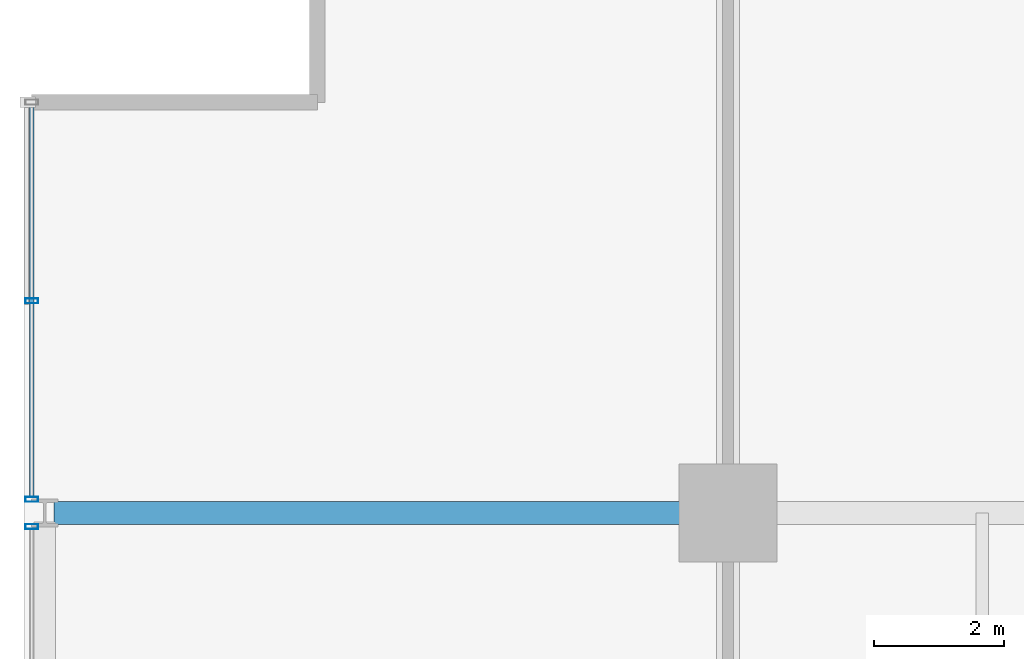
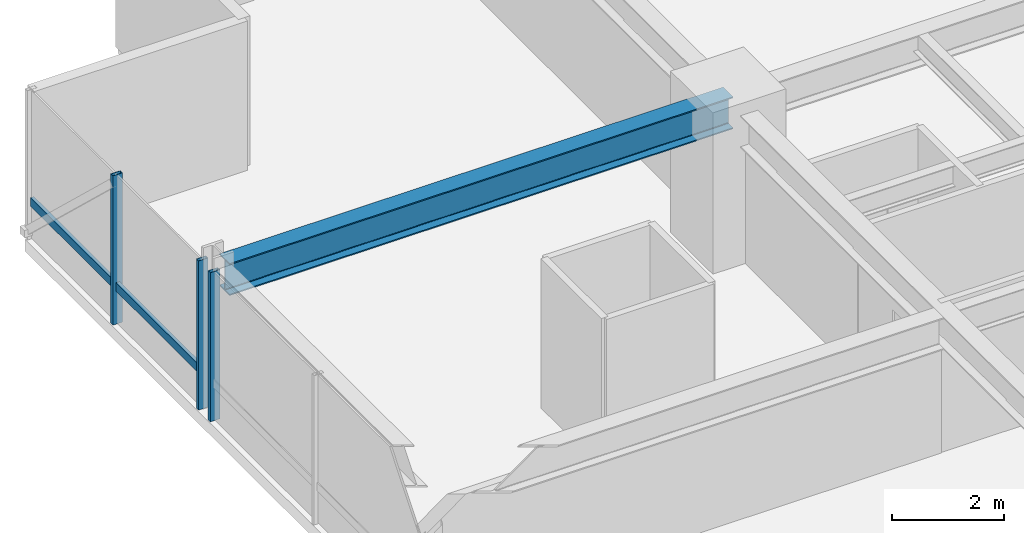
# One storey, part 18 of 33: 4 members, 1 beam, 2 elements without a shape of their own.
"""IFC4 building model written with IfcOpenShell, lengths in metres."""

from ifc_helpers import new_model, si_unit, direction, frame, origin, origin_2d, place, context, subcontext, project, spatial, hollow_rectangle, i_section, extrude, material, layer, layer_set, material_profile, profile_set, type_object, element, aggregate, save


model = new_model("IFC4")

# Units and contexts
model_context = context("Model", 3, precision=1e-05, world=origin(), true_north=direction((0.0, 1.0)))
body_context = subcontext(model_context, "Body", "Model", "MODEL_VIEW")
ifc_project = project(units=[si_unit("LENGTHUNIT", "METRE"), si_unit("AREAUNIT", "SQUARE_METRE"), si_unit("VOLUMEUNIT", "CUBIC_METRE"), si_unit("PLANEANGLEUNIT", "RADIAN"), si_unit("MASSUNIT", "GRAM", prefix="KILO")], contexts=[model_context])

# Site, building, storey
site_placement = place(None, origin())
site = spatial("IfcSite", under=ifc_project, at=site_placement, CompositionType="ELEMENT")
building_placement = place(site_placement, origin())
building = spatial("IfcBuilding", under=site, at=building_placement, Name="Drelvath Grand Hotel", CompositionType="ELEMENT")
storey_placement = place(building_placement, frame((0.0, 0.0, 119.800048828125)))
storey = spatial("IfcBuildingStorey", under=building, at=storey_placement, Name="L30", CompositionType="ELEMENT", Elevation=119.800048828125)

# Curtain wall, member
ifc_material_1 = material(Name="Champagne Bronze Anodised Aluminium Frame", Category="aluminium")
ifc_layer = layer(ifc_material_1, 0.199951171875)
ifc_layer_set = layer_set([ifc_layer], Name="Champagne Bronze Anodised Aluminium Frame")
curtain_wall_type = type_object("IfcCurtainWallType", Name="Stick Curtain Wall CW-03 Champagne Bronze Mid-Rise", PredefinedType="NOTDEFINED", material=ifc_layer_set)
curtain_wall_1_placement = place(storey_placement, origin())
curtain_wall_1 = element("IfcCurtainWall", 1, at=curtain_wall_1_placement, inside=storey, type_object=curtain_wall_type, Name="L30 CW-03 Curtain Wall CW03-L30-WN3", PredefinedType="NOTDEFINED")
ifc_material_profile_1 = material_profile(ifc_material_1, hollow_rectangle(XDim=0.074951171875, YDim=0.179931640625, WallThickness=0.0048828125, at=origin_2d()), Name="HSS180X75X5")
ifc_profile_set_1 = profile_set([ifc_material_profile_1], Name="Champagne Bronze Anodised Aluminium Frame")
member_type_1 = type_object("IfcMemberType", Name="Curtain Wall Horizontal Transom CW-03 HSS180X75X5", PredefinedType="USERDEFINED", material=ifc_profile_set_1)
member_1_placement = place(storey_placement, frame((-26.8798828125, 43.449462890625, 0.81005859375), z_axis=(0.0, 1.0, 0.0), x_axis=(-1.0, 0.0, 0.0)))
member_1 = element("IfcMember", 2, at=member_1_placement, type_object=member_type_1, Name="CW03-L30-WN3 Sill Transom", ObjectType="TRANSOM", PredefinedType="USERDEFINED", context=body_context, shape_type="SweptSolid", body=[
    extrude(hollow_rectangle(XDim=0.074951171875, YDim=0.179931640625, WallThickness=0.0048828125, at=origin_2d()), origin(), (0.0, 0.0, 1.0), 6.010498046875),
])

curtain_wall_2_placement = place(storey_placement, origin())
curtain_wall_2 = element("IfcCurtainWall", 3, at=curtain_wall_2_placement, inside=storey, type_object=curtain_wall_type, Name="L30 CW-03 Curtain Wall CW03-L30-WN2", PredefinedType="NOTDEFINED")
ifc_material_profile_2 = material_profile(ifc_material_1, hollow_rectangle(XDim=0.080078125, YDim=0.199951171875, WallThickness=0.0048828125, at=origin_2d()), Name="HSS200X80X5")
ifc_profile_set_2 = profile_set([ifc_material_profile_2], Name="Champagne Bronze Anodised Aluminium Frame")
member_type_2 = type_object("IfcMemberType", Name="Curtain Wall Vertical Mullion CW-03 HSS200X80X5", PredefinedType="MULLION", material=ifc_profile_set_2)
member_2_placement = place(storey_placement, frame((-26.8798828125, 42.990478515625, 0.0), z_axis=(0.0, 0.0, 1.0), x_axis=(0.0, 1.0, 0.0)))
member_2 = element("IfcMember", 4, at=member_2_placement, type_object=member_type_2, Name="CW03-L30-WN2 Mullion 3", PredefinedType="MULLION", context=body_context, shape_type="SweptSolid", body=[
    extrude(hollow_rectangle(XDim=0.080078125, YDim=0.199951171875, WallThickness=0.0048828125, at=origin_2d()), origin(), (0.0, 0.0, 1.0), 3.239990234375),
])
aggregate(curtain_wall_2, [member_2])

# Member
member_3_placement = place(storey_placement, frame((-26.8798828125, 43.409423828125, 0.0), z_axis=(0.0, 0.0, 1.0), x_axis=(0.0, 1.0, 0.0)))
member_3 = element("IfcMember", 5, at=member_3_placement, type_object=member_type_2, Name="CW03-L30-WN3 Mullion 1", PredefinedType="MULLION", context=body_context, shape_type="SweptSolid", body=[
    extrude(hollow_rectangle(XDim=0.080078125, YDim=0.199951171875, WallThickness=0.0048828125, at=origin_2d()), origin(), (0.0, 0.0, 1.0), 3.239990234375),
])

member_4_placement = place(storey_placement, frame((-26.8798828125, 46.45458984375, 0.0), z_axis=(0.0, 0.0, 1.0), x_axis=(0.0, 1.0, 0.0)))
member_4 = element("IfcMember", 6, at=member_4_placement, type_object=member_type_2, Name="CW03-L30-WN3 Mullion 2", PredefinedType="MULLION", context=body_context, shape_type="SweptSolid", body=[
    extrude(hollow_rectangle(XDim=0.080078125, YDim=0.199951171875, WallThickness=0.0048828125, at=origin_2d()), origin(), (0.0, 0.0, 1.0), 3.239990234375),
])

aggregate(curtain_wall_1, [member_3, member_4, member_1])

# Beam
ifc_material_2 = material(Name="Steel ASTM A992 Gr 50", Category="steel")
ifc_material_profile_3 = material_profile(ifc_material_2, i_section(OverallWidth=0.354736328125, OverallDepth=0.695556640625, WebThickness=0.015380859375, FlangeThickness=0.025146484375, FilletRadius=0.02392578125, at=origin_2d()), Name="W27X146")
ifc_profile_set_3 = profile_set([ifc_material_profile_3], Name="Steel ASTM A992 Gr 50")
beam_type = type_object("IfcBeamType", Name="Primary Floor Girder W27X146", PredefinedType="BEAM", material=ifc_profile_set_3)
beam_placement = place(storey_placement, frame((-26.5400390625, 43.199951171875, 2.892333984375), z_axis=(1.0, 0.0, 0.0), x_axis=(0.0, 1.0, 0.0)))
element("IfcBeam", 7, at=beam_placement, inside=storey, type_object=beam_type, Name="L30 West Grid Girder G", PredefinedType="BEAM", context=body_context, shape_type="SweptSolid", body=[
    extrude(i_section(OverallWidth=0.354736328125, OverallDepth=0.695556640625, WebThickness=0.015380859375, FlangeThickness=0.025146484375, FilletRadius=0.02392578125, at=origin_2d()), origin(), (0.0, 0.0, 1.0), 10.340087890625),
])

save(model, "model.ifc")
